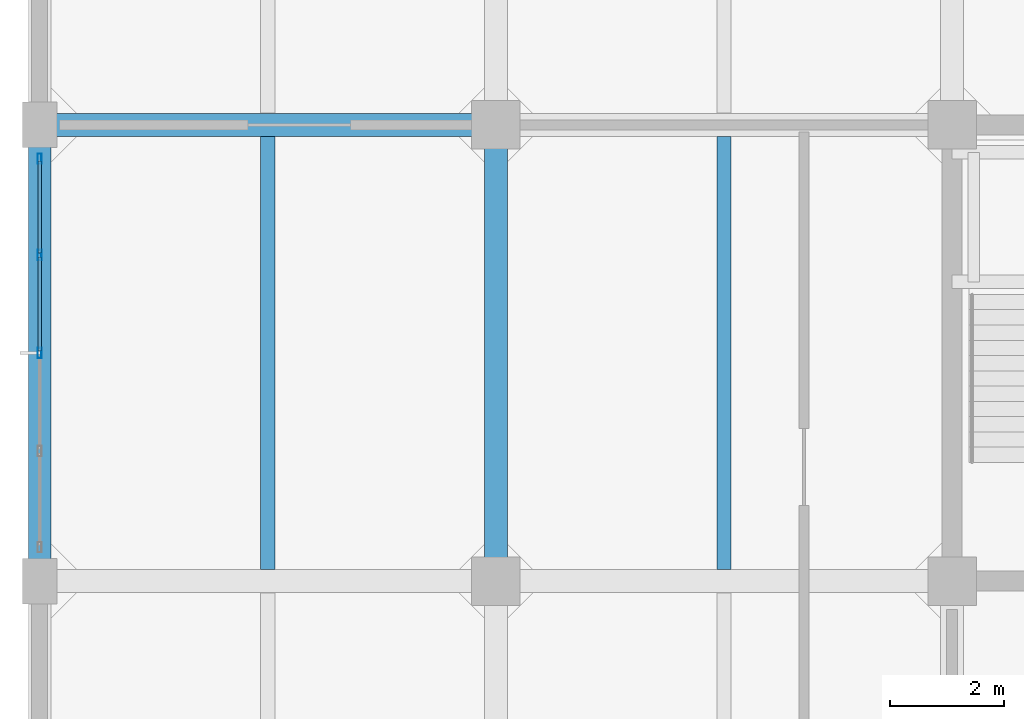
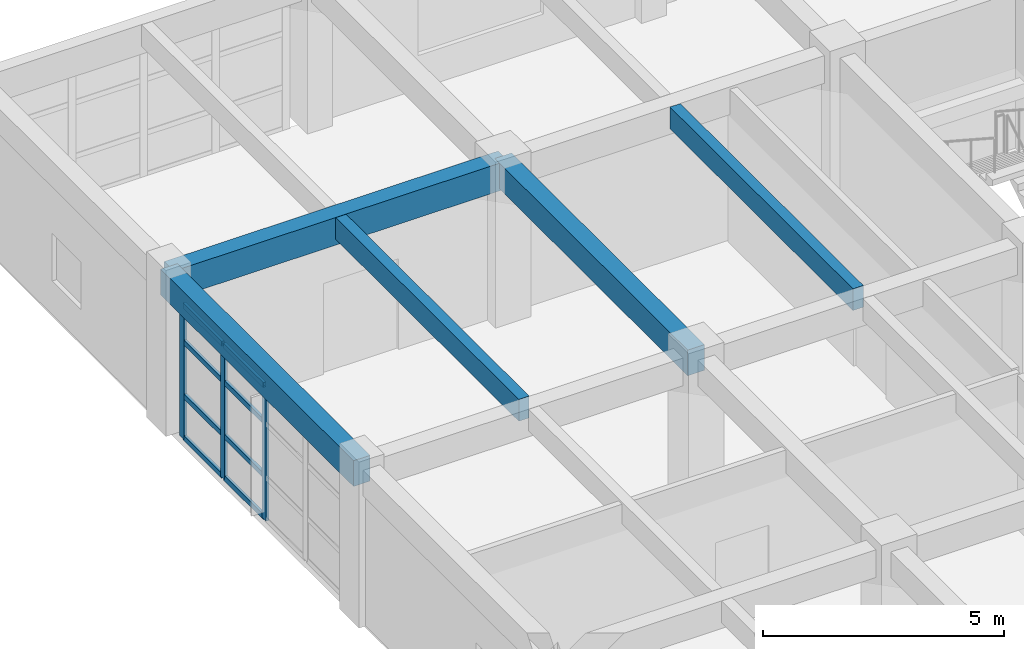
# One storey, part 13 of 30: 11 members, 5 beams, 1 element without a shape of its own.
"""IFC4 building model written with IfcOpenShell, lengths in metres."""

from ifc_helpers import new_model, si_unit, direction, frame, origin, origin_2d, place, context, subcontext, project, spatial, rectangle, hollow_rectangle, extrude, material, layer, layer_set, material_profile, profile_set, type_object, element, aggregate, save


model = new_model("IFC4")

# Units and contexts
model_context = context("Model", 3, precision=1e-05, world=origin(), true_north=direction((0.0, 1.0)))
body_context = subcontext(model_context, "Body", "Model", "MODEL_VIEW")
ifc_project = project(units=[si_unit("LENGTHUNIT", "METRE"), si_unit("AREAUNIT", "SQUARE_METRE"), si_unit("VOLUMEUNIT", "CUBIC_METRE"), si_unit("PLANEANGLEUNIT", "RADIAN"), si_unit("MASSUNIT", "GRAM", prefix="KILO")], contexts=[model_context])

# Site, building, storey
site_placement = place(None, origin())
site = spatial("IfcSite", under=ifc_project, at=site_placement, CompositionType="ELEMENT")
building_placement = place(site_placement, origin())
building = spatial("IfcBuilding", under=site, at=building_placement, Name="Canggui Botanical Conservatory", CompositionType="ELEMENT")
storey_placement = place(building_placement, frame((0.0, 0.0, 27.60009765625)))
storey = spatial("IfcBuildingStorey", under=building, at=storey_placement, Name="L07", CompositionType="ELEMENT", Elevation=27.60009765625)

# Beams
ifc_material_1 = material(Name="Concrete C35", Category="concrete")
ifc_material_profile_1 = material_profile(ifc_material_1, rectangle(XDim=0.25, YDim=0.550048828125, at=origin_2d()), Name="RB 250x550")
ifc_profile_set_1 = profile_set([ifc_material_profile_1], Name="Concrete C35")
beam_type_1 = type_object("IfcBeamType", Name="BM-JST03", PredefinedType="JOIST", material=ifc_profile_set_1)
for number, where, z_axis, x_axis, name in (
    (1, (142.0, 58.205078125, 3.684814453125), (0.0, 1.0, 0.0), (-1.0, 0.0, 0.0), "Secondary Floor Joist L07-1-4"),
    (2, (150.0, 58.205078125, 3.684814453125), (0.0, 1.0, 0.0), (-1.0, 0.0, 0.0), "Secondary Floor Joist L07-2-4"),
):
    element("IfcBeam", number, at=place(storey_placement, frame(where, z_axis=z_axis, x_axis=x_axis)), inside=storey, type_object=beam_type_1, Name=name, PredefinedType="JOIST", context=body_context, shape_type="SweptSolid", body=[
        extrude(rectangle(XDim=0.25, YDim=0.550048828125, at=origin_2d()), origin(), (0.0, 0.0, 1.0), 7.58984375),
    ])
ifc_material_profile_2 = material_profile(ifc_material_1, rectangle(XDim=0.39990234375, YDim=0.699951171875, at=origin_2d()), Name="RB 400x700")
ifc_profile_set_2 = profile_set([ifc_material_profile_2], Name="Concrete C35")
beam_type_2 = type_object("IfcBeamType", Name="BM-KL11", PredefinedType="BEAM", material=ifc_profile_set_2)
beam_placement = place(storey_placement, frame((138.0, 66.0, 3.60986328125), z_axis=(1.0, 0.0, 0.0), x_axis=(0.0, 1.0, 0.0)))
element("IfcBeam", 3, at=beam_placement, inside=storey, type_object=beam_type_2, Name="Frame Girder L07 Y66-1", PredefinedType="BEAM", context=body_context, shape_type="SweptSolid", body=[
    extrude(rectangle(XDim=0.39990234375, YDim=0.699951171875, at=origin_2d()), origin(), (0.0, 0.0, 1.0), 8.0),
])
ifc_material_profile_3 = material_profile(ifc_material_1, rectangle(XDim=0.39990234375, YDim=0.64990234375, at=origin_2d()), Name="RB 400x650")
ifc_profile_set_3 = profile_set([ifc_material_profile_3], Name="Concrete C35")
beam_type_3 = type_object("IfcBeamType", Name="BM-KL12", PredefinedType="BEAM", material=ifc_profile_set_3)
for number, where, z_axis, x_axis, name in (
    (4, (138.0, 58.0, 3.635009765625), (0.0, 1.0, 0.0), (-1.0, 0.0, 0.0), "Frame Girder L07 X138-4"),
    (5, (146.0, 58.0, 3.635009765625), (0.0, 1.0, 0.0), (-1.0, 0.0, 0.0), "Frame Girder L07 X146-4"),
):
    element("IfcBeam", number, at=place(storey_placement, frame(where, z_axis=z_axis, x_axis=x_axis)), inside=storey, type_object=beam_type_3, Name=name, PredefinedType="BEAM", context=body_context, shape_type="SweptSolid", body=[
        extrude(rectangle(XDim=0.39990234375, YDim=0.64990234375, at=origin_2d()), origin(), (0.0, 0.0, 1.0), 8.0),
    ])

# Curtain wall, members
ifc_material_2 = material(Name="Thermally Broken Aluminium", Category="aluminium")
ifc_layer = layer(ifc_material_2, 0.179931640625, Name="Thermally Broken Aluminium", Category="aluminium")
ifc_layer_set = layer_set([ifc_layer], Name="Thermally Broken Aluminium")
curtain_wall_type = type_object("IfcCurtainWallType", Name="CW-UNIT-A", PredefinedType="USERDEFINED", material=ifc_layer_set)
curtain_wall_placement = place(storey_placement, origin())
curtain_wall = element("IfcCurtainWall", 6, at=curtain_wall_placement, inside=storey, type_object=curtain_wall_type, Name="Facade Curtain Wall CW-TWR-L07-09", ObjectType="UNITISED CURTAIN WALL", PredefinedType="USERDEFINED")
ifc_material_profile_4 = material_profile(ifc_material_2, hollow_rectangle(XDim=0.070068359375, YDim=0.179931640625, WallThickness=0.00390625, at=origin_2d()), Name="CWM 70x180x4")
ifc_profile_set_4 = profile_set([ifc_material_profile_4], Name="Thermally Broken Aluminium")
member_type_1 = type_object("IfcMemberType", Name="CWM-01", PredefinedType="MULLION", material=ifc_profile_set_4)
member_1_placement = place(storey_placement, frame((138.0, 62.0, 0.0), z_axis=(0.0, 0.0, 1.0), x_axis=(-1.0, 0.0, 0.0)))
member_1 = element("IfcMember", 7, at=member_1_placement, type_object=member_type_1, Name="CW-01 mullion 3", PredefinedType="MULLION", context=body_context, shape_type="SweptSolid", body=[
    extrude(hollow_rectangle(XDim=0.070068359375, YDim=0.179931640625, WallThickness=0.00390625, at=origin_2d()), origin(), (0.0, 0.0, 1.0), 3.39990234375),
])
member_2_placement = place(storey_placement, frame((138.0, 63.719970703125, 0.0), z_axis=(0.0, 0.0, 1.0), x_axis=(-1.0, 0.0, 0.0)))
member_2 = element("IfcMember", 8, at=member_2_placement, type_object=member_type_1, Name="CW-01 mullion 4", PredefinedType="MULLION", context=body_context, shape_type="SweptSolid", body=[
    extrude(hollow_rectangle(XDim=0.070068359375, YDim=0.179931640625, WallThickness=0.00390625, at=origin_2d()), origin(), (0.0, 0.0, 1.0), 3.39990234375),
])
member_3_placement = place(storey_placement, frame((138.0, 65.405029296875, 0.0), z_axis=(0.0, 0.0, 1.0), x_axis=(-1.0, 0.0, 0.0)))
member_3 = element("IfcMember", 9, at=member_3_placement, type_object=member_type_1, Name="CW-01 mullion 5", PredefinedType="MULLION", context=body_context, shape_type="SweptSolid", body=[
    extrude(hollow_rectangle(XDim=0.070068359375, YDim=0.179931640625, WallThickness=0.00390625, at=origin_2d()), origin(), (0.0, 0.0, 1.0), 3.39990234375),
])
ifc_material_profile_5 = material_profile(ifc_material_2, hollow_rectangle(XDim=0.06494140625, YDim=0.1298828125, WallThickness=0.00341796875, at=origin_2d()), Name="CWT 65x130x3.5")
ifc_profile_set_5 = profile_set([ifc_material_profile_5], Name="Thermally Broken Aluminium")
member_type_2 = type_object("IfcMemberType", Name="CWT-01", PredefinedType="USERDEFINED", material=ifc_profile_set_5)
member_4_placement = place(storey_placement, frame((138.0, 62.034912109375, 0.032470703125), z_axis=(0.0, 1.0, 0.0), x_axis=(-1.0, 0.0, 0.0)))
member_4 = element("IfcMember", 10, at=member_4_placement, type_object=member_type_2, Name="CW-01 transom 3.1", ObjectType="TRANSOM", PredefinedType="USERDEFINED", context=body_context, shape_type="SweptSolid", body=[
    extrude(hollow_rectangle(XDim=0.06494140625, YDim=0.1298828125, WallThickness=0.00341796875, at=origin_2d()), origin(), (0.0, 0.0, 1.0), 1.650146484375),
])
member_5_placement = place(storey_placement, frame((138.0, 62.034912109375, 1.087890625), z_axis=(0.0, 1.0, 0.0), x_axis=(-1.0, 0.0, 0.0)))
member_5 = element("IfcMember", 11, at=member_5_placement, type_object=member_type_2, Name="CW-01 transom 3.2", ObjectType="TRANSOM", PredefinedType="USERDEFINED", context=body_context, shape_type="SweptSolid", body=[
    extrude(hollow_rectangle(XDim=0.06494140625, YDim=0.1298828125, WallThickness=0.00341796875, at=origin_2d()), origin(), (0.0, 0.0, 1.0), 1.650146484375),
])
member_6_placement = place(storey_placement, frame((138.0, 62.034912109375, 2.447998046875), z_axis=(0.0, 1.0, 0.0), x_axis=(-1.0, 0.0, 0.0)))
member_6 = element("IfcMember", 12, at=member_6_placement, type_object=member_type_2, Name="CW-01 transom 3.3", ObjectType="TRANSOM", PredefinedType="USERDEFINED", context=body_context, shape_type="SweptSolid", body=[
    extrude(hollow_rectangle(XDim=0.06494140625, YDim=0.1298828125, WallThickness=0.00341796875, at=origin_2d()), origin(), (0.0, 0.0, 1.0), 1.650146484375),
])
member_7_placement = place(storey_placement, frame((138.0, 62.034912109375, 3.367431640625), z_axis=(0.0, 1.0, 0.0), x_axis=(-1.0, 0.0, 0.0)))
member_7 = element("IfcMember", 13, at=member_7_placement, type_object=member_type_2, Name="CW-01 transom 3.4", ObjectType="TRANSOM", PredefinedType="USERDEFINED", context=body_context, shape_type="SweptSolid", body=[
    extrude(hollow_rectangle(XDim=0.06494140625, YDim=0.1298828125, WallThickness=0.00341796875, at=origin_2d()), origin(), (0.0, 0.0, 1.0), 1.650146484375),
])
member_8_placement = place(storey_placement, frame((138.0, 63.7548828125, 0.032470703125), z_axis=(0.0, 1.0, 0.0), x_axis=(-1.0, 0.0, 0.0)))
member_8 = element("IfcMember", 14, at=member_8_placement, type_object=member_type_2, Name="CW-01 transom 4.1", ObjectType="TRANSOM", PredefinedType="USERDEFINED", context=body_context, shape_type="SweptSolid", body=[
    extrude(hollow_rectangle(XDim=0.06494140625, YDim=0.1298828125, WallThickness=0.00341796875, at=origin_2d()), origin(), (0.0, 0.0, 1.0), 1.615234375),
])
member_9_placement = place(storey_placement, frame((138.0, 63.7548828125, 1.087890625), z_axis=(0.0, 1.0, 0.0), x_axis=(-1.0, 0.0, 0.0)))
member_9 = element("IfcMember", 15, at=member_9_placement, type_object=member_type_2, Name="CW-01 transom 4.2", ObjectType="TRANSOM", PredefinedType="USERDEFINED", context=body_context, shape_type="SweptSolid", body=[
    extrude(hollow_rectangle(XDim=0.06494140625, YDim=0.1298828125, WallThickness=0.00341796875, at=origin_2d()), origin(), (0.0, 0.0, 1.0), 1.615234375),
])
member_10_placement = place(storey_placement, frame((138.0, 63.7548828125, 2.447998046875), z_axis=(0.0, 1.0, 0.0), x_axis=(-1.0, 0.0, 0.0)))
member_10 = element("IfcMember", 16, at=member_10_placement, type_object=member_type_2, Name="CW-01 transom 4.3", ObjectType="TRANSOM", PredefinedType="USERDEFINED", context=body_context, shape_type="SweptSolid", body=[
    extrude(hollow_rectangle(XDim=0.06494140625, YDim=0.1298828125, WallThickness=0.00341796875, at=origin_2d()), origin(), (0.0, 0.0, 1.0), 1.615234375),
])
member_11_placement = place(storey_placement, frame((138.0, 63.7548828125, 3.367431640625), z_axis=(0.0, 1.0, 0.0), x_axis=(-1.0, 0.0, 0.0)))
member_11 = element("IfcMember", 17, at=member_11_placement, type_object=member_type_2, Name="CW-01 transom 4.4", ObjectType="TRANSOM", PredefinedType="USERDEFINED", context=body_context, shape_type="SweptSolid", body=[
    extrude(hollow_rectangle(XDim=0.06494140625, YDim=0.1298828125, WallThickness=0.00341796875, at=origin_2d()), origin(), (0.0, 0.0, 1.0), 1.615234375),
])
aggregate(curtain_wall, [member_1, member_2, member_3, member_4, member_5, member_6, member_7, member_8, member_9, member_10, member_11])

save(model, "model.ifc")
